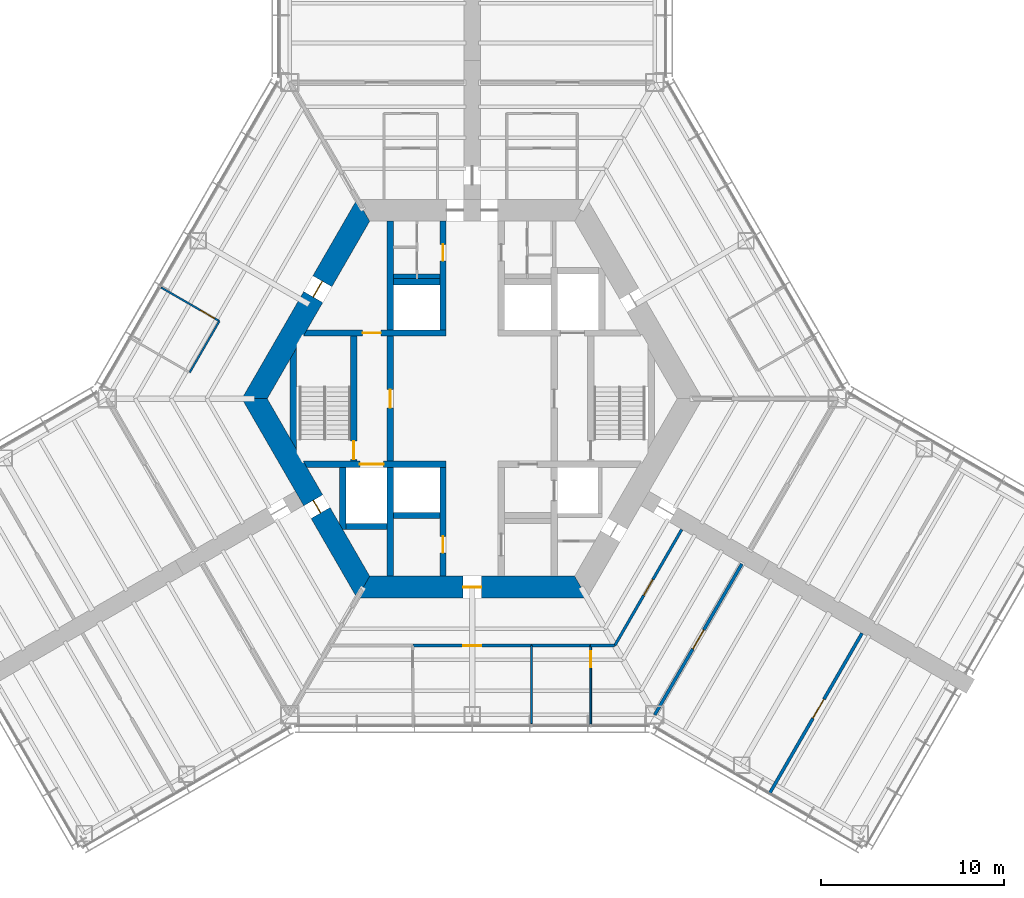
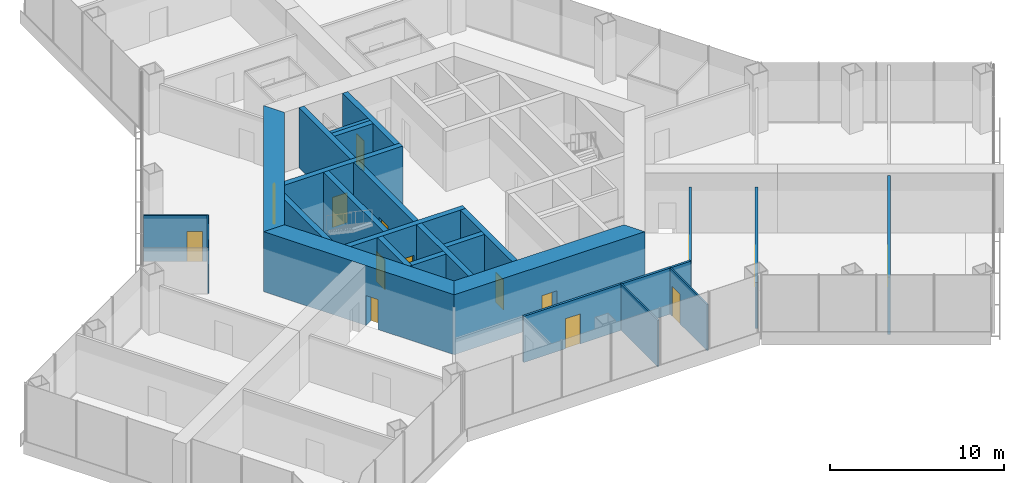
# One storey, part 11 of 16: 27 walls, 15 doors, 15 openings.
"""IFC4 building model written with IfcOpenShell, lengths in metres."""

from ifc_helpers import new_model, si_unit, direction, frame, frame_2d, origin, place, context, subcontext, project, spatial, polyline, rectangle, outline, extrude, material, layer, layer_set, type_object, element, fill, save


model = new_model("IFC4")

# Units and contexts
model_context = context("Model", 3, precision=1e-05, world=origin(), true_north=direction((0.0, 1.0)))
body_context = subcontext(model_context, "Body", "Model", "MODEL_VIEW")
ifc_project = project(units=[si_unit("LENGTHUNIT", "METRE"), si_unit("AREAUNIT", "SQUARE_METRE"), si_unit("VOLUMEUNIT", "CUBIC_METRE"), si_unit("PLANEANGLEUNIT", "RADIAN"), si_unit("MASSUNIT", "GRAM", prefix="KILO")], contexts=[model_context])

# Site, building, storey
site_placement = place(None, origin())
site = spatial("IfcSite", under=ifc_project, at=site_placement, CompositionType="ELEMENT")
building_placement = place(site_placement, origin())
building = spatial("IfcBuilding", under=site, at=building_placement, Name="Kasaneha Research Tower", CompositionType="ELEMENT")
storey_placement = place(building_placement, frame((0.0, 0.0, 26.800048828125)))
storey = spatial("IfcBuildingStorey", under=building, at=storey_placement, Name="L07", CompositionType="ELEMENT", Elevation=26.800048828125)

# Wall, opening, door
ifc_material_1 = material(Name="Concrete Fc100", Category="concrete")
ifc_layer_1 = layer(ifc_material_1, 0.35009765625)
ifc_layer_set_1 = layer_set([ifc_layer_1], Name="Core internal wall 350 Fc100")
wall_type_1 = type_object("IfcWallType", Name="Core internal wall 350 Fc100", PredefinedType="SHEAR", material=ifc_layer_set_1)
wall_1_placement = place(storey_placement, frame((-9.151123046875, 3.60009765625, 0.0), z_axis=(0.0, 0.0, 1.0), x_axis=(1.0, 0.0, 0.0)))
wall_1 = element("IfcWall", 1, at=wall_1_placement, inside=storey, type_object=wall_type_1, Name="Core wall W1W L07", PredefinedType="SHEAR", context=body_context, shape_type="SweptSolid", body=[
    extrude(outline(polyline([(-0.10107421875, -0.175048828125), (3.151123046875, -0.175048828125), (4.151123046875, -0.175048828125), (7.72607421875, -0.175048828125), (7.72607421875, 0.175048828125), (4.151123046875, 0.175048828125), (3.151123046875, 0.175048828125), (0.10107421875, 0.175048828125), (-0.10107421875, -0.175048828125)])), origin(), (0.0, 0.0, 1.0), 4.199951171875),
])
opening_1_placement = place(wall_1_placement, frame((3.151123046875, 0.0, 0.0)))
opening_1 = element("IfcOpeningElement", 2, at=opening_1_placement, cuts=wall_1, Name="Opening L07-D12", PredefinedType="OPENING", context=body_context, shape_type="SweptSolid", body=[
    extrude(rectangle(XDim=1.0, YDim=2.10009765625, at=frame_2d((0.5, 1.050048828125))), frame((0.0, 0.18505859375, 0.0), z_axis=(0.0, -1.0, 0.0), x_axis=(1.0, 0.0, 0.0)), (0.0, 0.0, 1.0), 0.3701171875),
])
ifc_material_2 = material(Name="Steel", Category="steel")
door_type_1 = type_object("IfcDoorType", Name="Specified fire door FD60 1000x2100", OperationType="NOTDEFINED", PredefinedType="DOOR", material=ifc_material_2)
door_1_placement = place(opening_1_placement, origin())
door_1 = element("IfcDoor", 3, at=door_1_placement, inside=storey, type_object=door_type_1, Name="Vestibule to lobby door L07-D12", OperationType="SINGLE_SWING_LEFT", OverallHeight=2.10009765625, OverallWidth=1.0, PredefinedType="DOOR", context=body_context, shape_type="SweptSolid", body=[
    extrude(rectangle(XDim=1.0, YDim=2.10009765625, at=frame_2d((0.5, 1.050048828125))), frame((0.0, 0.02490234375, 0.0), z_axis=(0.0, -1.0, 0.0), x_axis=(1.0, 0.0, 0.0)), (0.0, 0.0, 1.0), 0.050048828125),
])
fill(opening_1, door_1)

wall_2_placement = place(storey_placement, frame((-9.151123046875, -3.60009765625, 0.0), z_axis=(0.0, 0.0, 1.0), x_axis=(1.0, 0.0, 0.0)))
wall_2 = element("IfcWall", 4, at=wall_2_placement, inside=storey, type_object=wall_type_1, Name="Core wall W2W L07", PredefinedType="SHEAR", context=body_context, shape_type="SweptSolid", body=[
    extrude(outline(polyline([(0.10107421875, -0.175048828125), (3.0009765625, -0.175048828125), (4.301025390625, -0.175048828125), (7.72607421875, -0.175048828125), (7.72607421875, 0.175048828125), (4.301025390625, 0.175048828125), (3.0009765625, 0.175048828125), (-0.10107421875, 0.175048828125), (0.10107421875, -0.175048828125)])), origin(), (0.0, 0.0, 1.0), 4.199951171875),
])
opening_2_placement = place(wall_2_placement, frame((3.0009765625, 0.0, 0.0)))
opening_2 = element("IfcOpeningElement", 5, at=opening_2_placement, cuts=wall_2, Name="Opening LD-FL2-L07", PredefinedType="OPENING", context=body_context, shape_type="SweptSolid", body=[
    extrude(rectangle(XDim=1.300048828125, YDim=2.10009765625, at=frame_2d((0.64990234375, 1.050048828125))), frame((0.0, 0.18505859375, 0.0), z_axis=(0.0, -1.0, 0.0), x_axis=(1.0, 0.0, 0.0)), (0.0, 0.0, 1.0), 0.3701171875),
])
ifc_material_3 = material(Name="Steel", Category="steel")
door_type_2 = type_object("IfcDoorType", Name="Lift landing door 1300x2100", OperationType="DOUBLE_DOOR_SLIDING", PredefinedType="DOOR", material=ifc_material_3)
door_2_placement = place(opening_2_placement, origin())
door_2 = element("IfcDoor", 6, at=door_2_placement, inside=storey, type_object=door_type_2, Name="Landing door FL2 LD-FL2-L07", OperationType="DOUBLE_DOOR_SLIDING", OverallHeight=2.10009765625, OverallWidth=1.300048828125, PredefinedType="DOOR", context=body_context, shape_type="SweptSolid", body=[
    extrude(rectangle(XDim=1.300048828125, YDim=2.10009765625, at=frame_2d((0.64990234375, 1.050048828125))), frame((0.0, 0.02490234375, 0.0), z_axis=(0.0, -1.0, 0.0), x_axis=(1.0, 0.0, 0.0)), (0.0, 0.0, 1.0), 0.050048828125),
])
fill(opening_2, door_2)

wall_3_placement = place(storey_placement, frame((-1.60009765625, 3.77490234375, 0.0), z_axis=(0.0, 0.0, 1.0), x_axis=(0.0, 1.0, 0.0)))
wall_3 = element("IfcWall", 7, at=wall_3_placement, inside=storey, type_object=wall_type_1, Name="Core wall CNW L07", PredefinedType="SHEAR", context=body_context, shape_type="SweptSolid", body=[
    extrude(rectangle(XDim=5.9501953125, YDim=0.35009765625, at=frame_2d((2.97509765625, 0.0))), origin(), (0.0, 0.0, 1.0), 4.199951171875),
])
opening_3_placement = place(wall_3_placement, frame((3.77490234375, 0.0, 0.0)))
opening_3 = element("IfcOpeningElement", 8, at=opening_3_placement, cuts=wall_3, Name="Opening L07-D13", PredefinedType="OPENING", context=body_context, shape_type="SweptSolid", body=[
    extrude(rectangle(XDim=0.89990234375, YDim=2.10009765625, at=frame_2d((0.449951171875, 1.050048828125))), frame((0.0, 0.18505859375, 0.0), z_axis=(0.0, -1.0, 0.0), x_axis=(1.0, 0.0, 0.0)), (0.0, 0.0, 1.0), 0.3701171875),
])
ifc_material_4 = material(Name="Steel", Category="steel")
door_type_3 = type_object("IfcDoorType", Name="Toilet door FD20 900x2100", OperationType="NOTDEFINED", PredefinedType="DOOR", material=ifc_material_4)
door_3_placement = place(opening_3_placement, origin())
door_3 = element("IfcDoor", 9, at=door_3_placement, inside=storey, type_object=door_type_3, Name="Men's WC door L07-D13", OperationType="SINGLE_SWING_LEFT", OverallHeight=2.10009765625, OverallWidth=0.89990234375, PredefinedType="DOOR", context=body_context, shape_type="SweptSolid", body=[
    extrude(rectangle(XDim=0.89990234375, YDim=2.10009765625, at=frame_2d((0.449951171875, 1.050048828125))), frame((0.0, 0.02490234375, 0.0), z_axis=(0.0, -1.0, 0.0), x_axis=(1.0, 0.0, 0.0)), (0.0, 0.0, 1.0), 0.050048828125),
])
fill(opening_3, door_3)

wall_4_placement = place(storey_placement, frame((-1.60009765625, -3.77490234375, 0.0), z_axis=(0.0, 0.0, 1.0), x_axis=(0.0, -1.0, 0.0)))
wall_4 = element("IfcWall", 10, at=wall_4_placement, inside=storey, type_object=wall_type_1, Name="Core wall CSW L07", PredefinedType="SHEAR", context=body_context, shape_type="SweptSolid", body=[
    extrude(rectangle(XDim=5.9501953125, YDim=0.35009765625, at=frame_2d((2.97509765625, 0.0))), origin(), (0.0, 0.0, 1.0), 4.199951171875),
])
opening_4_placement = place(wall_4_placement, frame((3.77490234375, 0.0, 0.0)))
opening_4 = element("IfcOpeningElement", 11, at=opening_4_placement, cuts=wall_4, Name="Opening L07-D16", PredefinedType="OPENING", context=body_context, shape_type="SweptSolid", body=[
    extrude(rectangle(XDim=0.89990234375, YDim=2.10009765625, at=frame_2d((0.449951171875, 1.050048828125))), frame((0.0, 0.18505859375, 0.0), z_axis=(0.0, -1.0, 0.0), x_axis=(1.0, 0.0, 0.0)), (0.0, 0.0, 1.0), 0.3701171875),
])
ifc_material_5 = material(Name="Steel", Category="steel")
door_type_4 = type_object("IfcDoorType", Name="Riser access door FD60 900x2100", OperationType="NOTDEFINED", PredefinedType="DOOR", material=ifc_material_5)
door_4_placement = place(opening_4_placement, origin())
door_4 = element("IfcDoor", 12, at=door_4_placement, inside=storey, type_object=door_type_4, Name="Electrical riser door L07-D16", OperationType="SINGLE_SWING_LEFT", OverallHeight=2.10009765625, OverallWidth=0.89990234375, PredefinedType="DOOR", context=body_context, shape_type="SweptSolid", body=[
    extrude(rectangle(XDim=0.89990234375, YDim=2.10009765625, at=frame_2d((0.449951171875, 1.050048828125))), frame((0.0, 0.02490234375, 0.0), z_axis=(0.0, -1.0, 0.0), x_axis=(1.0, 0.0, 0.0)), (0.0, 0.0, 1.0), 0.050048828125),
])
fill(opening_4, door_4)

wall_5_placement = place(storey_placement, frame((-4.5, -3.425048828125, 0.0), z_axis=(0.0, 0.0, 1.0), x_axis=(0.0, 1.0, 0.0)))
wall_5 = element("IfcWall", 13, at=wall_5_placement, inside=storey, type_object=wall_type_1, Name="Core wall LBW L07", PredefinedType="SHEAR", context=body_context, shape_type="SweptSolid", body=[
    extrude(rectangle(XDim=6.85009765625, YDim=0.35009765625, at=frame_2d((3.425048828125, 0.0))), origin(), (0.0, 0.0, 1.0), 4.199951171875),
])
opening_5_placement = place(wall_5_placement, frame((2.925048828125, 0.0, 0.0)))
opening_5 = element("IfcOpeningElement", 14, at=opening_5_placement, cuts=wall_5, Name="Opening L07-D09", PredefinedType="OPENING", context=body_context, shape_type="SweptSolid", body=[
    extrude(rectangle(XDim=1.0, YDim=2.10009765625, at=frame_2d((0.5, 1.050048828125))), frame((0.0, 0.18505859375, 0.0), z_axis=(0.0, -1.0, 0.0), x_axis=(1.0, 0.0, 0.0)), (0.0, 0.0, 1.0), 0.3701171875),
])
door_5_placement = place(opening_5_placement, origin())
door_5 = element("IfcDoor", 15, at=door_5_placement, inside=storey, type_object=door_type_1, Name="Lift lobby door west L07-D09", OperationType="SINGLE_SWING_LEFT", OverallHeight=2.10009765625, OverallWidth=1.0, PredefinedType="DOOR", context=body_context, shape_type="SweptSolid", body=[
    extrude(rectangle(XDim=1.0, YDim=2.10009765625, at=frame_2d((0.5, 1.050048828125))), frame((0.0, 0.02490234375, 0.0), z_axis=(0.0, -1.0, 0.0), x_axis=(1.0, 0.0, 0.0)), (0.0, 0.0, 1.0), 0.050048828125),
])
fill(opening_5, door_5)

wall_6_placement = place(storey_placement, frame((-6.5, -3.425048828125, 0.0), z_axis=(0.0, 0.0, 1.0), x_axis=(0.0, 1.0, 0.0)))
wall_6 = element("IfcWall", 16, at=wall_6_placement, inside=storey, type_object=wall_type_1, Name="Core wall ANW L07", PredefinedType="SHEAR", context=body_context, shape_type="SweptSolid", body=[
    extrude(rectangle(XDim=6.85009765625, YDim=0.35009765625, at=frame_2d((3.425048828125, 0.0))), origin(), (0.0, 0.0, 1.0), 4.199951171875),
])
opening_6_placement = place(wall_6_placement, frame((0.10009765625, 0.0, 0.0)))
opening_6 = element("IfcOpeningElement", 17, at=opening_6_placement, cuts=wall_6, Name="Opening L07-D11", PredefinedType="OPENING", context=body_context, shape_type="SweptSolid", body=[
    extrude(rectangle(XDim=1.0, YDim=2.10009765625, at=frame_2d((0.5, 1.050048828125))), frame((0.0, 0.18505859375, 0.0), z_axis=(0.0, -1.0, 0.0), x_axis=(1.0, 0.0, 0.0)), (0.0, 0.0, 1.0), 0.3701171875),
])
door_6_placement = place(opening_6_placement, origin())
door_6 = element("IfcDoor", 18, at=door_6_placement, inside=storey, type_object=door_type_1, Name="Stair 2 door L07-D11", OperationType="SINGLE_SWING_LEFT", OverallHeight=2.10009765625, OverallWidth=1.0, PredefinedType="DOOR", context=body_context, shape_type="SweptSolid", body=[
    extrude(rectangle(XDim=1.0, YDim=2.10009765625, at=frame_2d((0.5, 1.050048828125))), frame((0.0, 0.02490234375, 0.0), z_axis=(0.0, -1.0, 0.0), x_axis=(1.0, 0.0, 0.0)), (0.0, 0.0, 1.0), 0.050048828125),
])
fill(opening_6, door_6)

# Walls
for number, where, z_axis, x_axis, name in (
    (19, (-4.5, 3.77490234375, 0.0), (0.0, 0.0, 1.0), (0.0, 1.0, 0.0), "Core wall VNW L07"),
    (20, (-4.5, -3.77490234375, 0.0), (0.0, 0.0, 1.0), (0.0, -1.0, 0.0), "Core wall SSW L07"),
):
    element("IfcWall", number, at=place(storey_placement, frame(where, z_axis=z_axis, x_axis=x_axis)), inside=storey, type_object=wall_type_1, Name=name, PredefinedType="SHEAR", context=body_context, shape_type="SweptSolid", body=[
        extrude(rectangle(XDim=5.9501953125, YDim=0.35009765625, at=frame_2d((2.97509765625, 0.0))), origin(), (0.0, 0.0, 1.0), 4.199951171875),
    ])
for number, where, z_axis, x_axis, name in (
    (21, (-4.324951171875, 6.39990234375, 0.0), (0.0, 0.0, 1.0), (1.0, 0.0, 0.0), "Core wall N1N L07"),
    (22, (-4.324951171875, -6.39990234375, 0.0), (0.0, 0.0, 1.0), (1.0, 0.0, 0.0), "Core wall S1S L07"),
):
    element("IfcWall", number, at=place(storey_placement, frame(where, z_axis=z_axis, x_axis=x_axis)), inside=storey, type_object=wall_type_1, Name=name, PredefinedType="SHEAR", context=body_context, shape_type="SweptSolid", body=[
        extrude(rectangle(XDim=2.550048828125, YDim=0.35009765625, at=frame_2d((1.27490234375, 0.0))), origin(), (0.0, 0.0, 1.0), 4.199951171875),
    ])
wall_7_placement = place(storey_placement, frame((-6.925048828125, -7.0, 0.0), z_axis=(0.0, 0.0, 1.0), x_axis=(1.0, 0.0, 0.0)))
element("IfcWall", 23, at=wall_7_placement, inside=storey, type_object=wall_type_1, Name="Core wall F2S L07", PredefinedType="SHEAR", context=body_context, shape_type="SweptSolid", body=[
    extrude(rectangle(XDim=2.25, YDim=0.35009765625, at=frame_2d((1.125, 0.0))), origin(), (0.0, 0.0, 1.0), 4.199951171875),
])
wall_8_placement = place(storey_placement, frame((-7.10009765625, -3.77490234375, 0.0), z_axis=(0.0, 0.0, 1.0), x_axis=(0.0, -1.0, 0.0)))
element("IfcWall", 24, at=wall_8_placement, inside=storey, type_object=wall_type_1, Name="Core wall F2W L07", PredefinedType="SHEAR", context=body_context, shape_type="SweptSolid", body=[
    extrude(outline(polyline([(0.0, -0.175048828125), (3.07421875, -0.175048828125), (3.37744140625, 0.0), (3.39990234375, 0.175048828125), (0.0, 0.175048828125), (0.0, -0.175048828125)])), origin(), (0.0, 0.0, 1.0), 4.199951171875),
])
wall_9_placement = place(storey_placement, frame((-9.807861328125, -2.462158203125, 0.0), z_axis=(0.0, 0.0, 1.0), x_axis=(0.0, 1.0, 0.0)))
element("IfcWall", 25, at=wall_9_placement, inside=storey, type_object=wall_type_1, Name="Core wall STW L07", PredefinedType="SHEAR", context=body_context, shape_type="SweptSolid", body=[
    extrude(outline(polyline([(-0.30322265625, -0.175048828125), (5.2275390625, -0.175048828125), (4.62109375, 0.175048828125), (0.30322265625, 0.175048828125), (-0.30322265625, -0.175048828125)])), origin(), (0.0, 0.0, 1.0), 4.199951171875),
])

# Wall, opening, door
ifc_material_6 = material(Name="Concrete Fc100", Category="concrete")
ifc_layer_2 = layer(ifc_material_6, 1.199951171875)
ifc_layer_set_2 = layer_set([ifc_layer_2], Name="Core wall 1200 Fc100")
wall_type_2 = type_object("IfcWallType", Name="Core wall 1200 Fc100", PredefinedType="SHEAR", material=ifc_layer_set_2)
wall_10_placement = place(storey_placement, frame((-5.961181640625, 10.324951171875, 0.0), z_axis=(0.0, 0.0, 1.0), x_axis=(-0.500004296715, -0.866022923061, 0.0)))
wall_10 = element("IfcWall", 26, at=wall_10_placement, inside=storey, type_object=wall_type_2, Name="Core wall 150 L07", PredefinedType="SHEAR", context=body_context, shape_type="SweptSolid", body=[
    extrude(outline(polyline([(-0.346435546875, -0.60009765625), (4.494140625, -0.60009765625), (5.494140625, -0.60009765625), (12.268798828125, -0.60009765625), (11.575927734375, 0.60009765625), (5.494140625, 0.60009765625), (4.494140625, 0.60009765625), (0.346435546875, 0.60009765625), (-0.346435546875, -0.60009765625)])), origin(), (0.0, 0.0, 1.0), 4.199951171875),
])
opening_7_placement = place(wall_10_placement, frame((4.494140625, 0.0, 0.0)))
opening_7 = element("IfcOpeningElement", 27, at=opening_7_placement, cuts=wall_10, Name="Opening L07-D07", PredefinedType="OPENING", context=body_context, shape_type="SweptSolid", body=[
    extrude(rectangle(XDim=1.0, YDim=2.10009765625, at=frame_2d((0.5, 1.050048828125))), frame((0.0, 0.60986328125, 0.0), z_axis=(0.0, -1.0, 0.0), x_axis=(1.0, 0.0, 0.0)), (0.0, 0.0, 1.0), 1.219970703125),
])
ifc_material_7 = material(Name="Steel", Category="steel")
door_type_5 = type_object("IfcDoorType", Name="Fire door FD20 1000x2100", OperationType="NOTDEFINED", PredefinedType="DOOR", material=ifc_material_7)
door_7_placement = place(opening_7_placement, origin())
door_7 = element("IfcDoor", 28, at=door_7_placement, inside=storey, type_object=door_type_5, Name="Vestibule door L07-D07", OperationType="SINGLE_SWING_LEFT", OverallHeight=2.10009765625, OverallWidth=1.0, PredefinedType="DOOR", context=body_context, shape_type="SweptSolid", body=[
    extrude(rectangle(XDim=1.0, YDim=2.10009765625, at=frame_2d((0.5, 1.050048828125))), frame((0.0, 0.02490234375, 0.0), z_axis=(0.0, -1.0, 0.0), x_axis=(1.0, 0.0, 0.0)), (0.0, 0.0, 1.0), 0.050048828125),
])
fill(opening_7, door_7)

wall_11_placement = place(storey_placement, frame((-11.92236328125, 0.0, 0.0), z_axis=(0.0, 0.0, 1.0), x_axis=(0.500004296715, -0.866022923061, 0.0)))
wall_11 = element("IfcWall", 29, at=wall_11_placement, inside=storey, type_object=wall_type_2, Name="Core wall 210 L07", PredefinedType="SHEAR", context=body_context, shape_type="SweptSolid", body=[
    extrude(outline(polyline([(-0.346435546875, -0.60009765625), (6.43115234375, -0.60009765625), (7.231201171875, -0.60009765625), (12.268798828125, -0.60009765625), (11.575927734375, 0.60009765625), (7.231201171875, 0.60009765625), (6.43115234375, 0.60009765625), (0.346435546875, 0.60009765625), (-0.346435546875, -0.60009765625)])), origin(), (0.0, 0.0, 1.0), 4.199951171875),
])
opening_8_placement = place(wall_11_placement, frame((6.43115234375, 0.0, 0.0)))
opening_8 = element("IfcOpeningElement", 30, at=opening_8_placement, cuts=wall_11, Name="Opening L07-D06", PredefinedType="OPENING", context=body_context, shape_type="SweptSolid", body=[
    extrude(rectangle(XDim=0.800048828125, YDim=2.10009765625, at=frame_2d((0.39990234375, 1.050048828125))), frame((0.0, 0.60986328125, 0.0), z_axis=(0.0, -1.0, 0.0), x_axis=(1.0, 0.0, 0.0)), (0.0, 0.0, 1.0), 1.219970703125),
])
ifc_material_8 = material(Name="Steel", Category="steel")
door_type_6 = type_object("IfcDoorType", Name="Riser access door FD60 800x2100", OperationType="NOTDEFINED", PredefinedType="DOOR", material=ifc_material_8)
door_8_placement = place(opening_8_placement, origin())
door_8 = element("IfcDoor", 31, at=door_8_placement, inside=storey, type_object=door_type_6, Name="Duct riser door L07-D06", OperationType="SINGLE_SWING_RIGHT", OverallHeight=2.10009765625, OverallWidth=0.800048828125, PredefinedType="DOOR", context=body_context, shape_type="SweptSolid", body=[
    extrude(rectangle(XDim=0.800048828125, YDim=2.10009765625, at=frame_2d((0.39990234375, 1.050048828125))), frame((0.0, 0.02490234375, 0.0), z_axis=(0.0, -1.0, 0.0), x_axis=(1.0, 0.0, 0.0)), (0.0, 0.0, 1.0), 0.050048828125),
])
fill(opening_8, door_8)

wall_12_placement = place(storey_placement, frame((-5.961181640625, -10.324951171875, 0.0), z_axis=(0.0, 0.0, 1.0), x_axis=(1.0, 0.0, 0.0)))
wall_12 = element("IfcWall", 32, at=wall_12_placement, inside=storey, type_object=wall_type_2, Name="Core wall 270 L07", PredefinedType="SHEAR", context=body_context, shape_type="SweptSolid", body=[
    extrude(outline(polyline([(-0.346435546875, -0.60009765625), (5.461181640625, -0.60009765625), (6.461181640625, -0.60009765625), (12.268798828125, -0.60009765625), (11.575927734375, 0.60009765625), (6.461181640625, 0.60009765625), (5.461181640625, 0.60009765625), (0.346435546875, 0.60009765625), (-0.346435546875, -0.60009765625)])), origin(), (0.0, 0.0, 1.0), 4.199951171875),
])
opening_9_placement = place(wall_12_placement, frame((5.461181640625, 0.0, 0.0)))
opening_9 = element("IfcOpeningElement", 33, at=opening_9_placement, cuts=wall_12, Name="Opening L07-D03", PredefinedType="OPENING", context=body_context, shape_type="SweptSolid", body=[
    extrude(rectangle(XDim=1.0, YDim=2.10009765625, at=frame_2d((0.5, 1.050048828125))), frame((0.0, 0.60986328125, 0.0), z_axis=(0.0, -1.0, 0.0), x_axis=(1.0, 0.0, 0.0)), (0.0, 0.0, 1.0), 1.219970703125),
])
door_9_placement = place(opening_9_placement, origin())
door_9 = element("IfcDoor", 34, at=door_9_placement, inside=storey, type_object=door_type_5, Name="Core door south L07-D03", OperationType="SINGLE_SWING_LEFT", OverallHeight=2.10009765625, OverallWidth=1.0, PredefinedType="DOOR", context=body_context, shape_type="SweptSolid", body=[
    extrude(rectangle(XDim=1.0, YDim=2.10009765625, at=frame_2d((0.5, 1.050048828125))), frame((0.0, 0.02490234375, 0.0), z_axis=(0.0, -1.0, 0.0), x_axis=(1.0, 0.0, 0.0)), (0.0, 0.0, 1.0), 0.050048828125),
])
fill(opening_9, door_9)

ifc_material_9 = material(Name="Gypsum board on steel studs, two layers each side", Category="steel")
ifc_layer_3 = layer(ifc_material_9, 0.175048828125)
ifc_layer_set_3 = layer_set([ifc_layer_3], Name="Laboratory fire partition 175")
wall_type_3 = type_object("IfcWallType", Name="Laboratory fire partition 175", PredefinedType="PARTITIONING", material=ifc_layer_set_3)
wall_13_placement = place(storey_placement, frame((14.77490234375, -9.050048828125, 0.0), z_axis=(0.0, 0.0, 1.0), x_axis=(-0.499993908199, -0.866028920859, 0.0)))
wall_13 = element("IfcWall", 35, at=wall_13_placement, inside=storey, type_object=wall_type_3, Name="Laboratory fire partition LABC-S L07", PredefinedType="PARTITIONING", context=body_context, shape_type="SweptSolid", body=[
    extrude(rectangle(XDim=9.5498046875, YDim=0.175048828125, at=frame_2d((4.77490234375, 0.0))), origin(), (0.0, 0.0, 1.0), 3.238037109375),
])
opening_10_placement = place(wall_13_placement, frame((4.175048828125, 0.0, 0.0)))
opening_10 = element("IfcOpeningElement", 36, at=opening_10_placement, cuts=wall_13, Name="Opening L07-D44", PredefinedType="OPENING", context=body_context, shape_type="SweptSolid", body=[
    extrude(rectangle(XDim=1.199951171875, YDim=2.10009765625, at=frame_2d((0.60009765625, 1.050048828125))), frame((0.0, 0.09765625, 0.0), z_axis=(0.0, -1.0, 0.0), x_axis=(1.0, 0.0, 0.0)), (0.0, 0.0, 1.0), 0.195068359375),
])
ifc_material_10 = material(Name="Steel", Category="steel")
door_type_7 = type_object("IfcDoorType", Name="Laboratory door FD60 1200x2100", OperationType="DOUBLE_DOOR_SINGLE_SWING", PredefinedType="DOOR", material=ifc_material_10)
door_10_placement = place(opening_10_placement, origin())
door_10 = element("IfcDoor", 37, at=door_10_placement, inside=storey, type_object=door_type_7, Name="Laboratory door L07-D44", OperationType="DOUBLE_DOOR_SINGLE_SWING", OverallHeight=2.10009765625, OverallWidth=1.199951171875, PredefinedType="DOOR", context=body_context, shape_type="SweptSolid", body=[
    extrude(rectangle(XDim=1.199951171875, YDim=2.10009765625, at=frame_2d((0.60009765625, 1.050048828125))), frame((0.0, 0.02490234375, 0.0), z_axis=(0.0, -1.0, 0.0), x_axis=(1.0, 0.0, 0.0)), (0.0, 0.0, 1.0), 0.050048828125),
])
fill(opening_10, door_10)

wall_14_placement = place(storey_placement, frame((21.356689453125, -12.849853515625, 0.0), z_axis=(0.0, 0.0, 1.0), x_axis=(-0.499987145745, -0.866032825065, 0.0)))
wall_14 = element("IfcWall", 38, at=wall_14_placement, inside=storey, type_object=wall_type_3, Name="Laboratory fire partition SUPC-S L07", PredefinedType="PARTITIONING", context=body_context, shape_type="SweptSolid", body=[
    extrude(rectangle(XDim=10.139892578125, YDim=0.175048828125, at=frame_2d((5.06982421875, 0.0))), origin(), (0.0, 0.0, 1.0), 4.030029296875),
])
opening_11_placement = place(wall_14_placement, frame((4.175048828125, 0.0, 0.0)))
opening_11 = element("IfcOpeningElement", 39, at=opening_11_placement, cuts=wall_14, Name="Opening L07-D49", PredefinedType="OPENING", context=body_context, shape_type="SweptSolid", body=[
    extrude(rectangle(XDim=1.199951171875, YDim=2.10009765625, at=frame_2d((0.60009765625, 1.050048828125))), frame((0.0, 0.09765625, 0.0), z_axis=(0.0, -1.0, 0.0), x_axis=(1.0, 0.0, 0.0)), (0.0, 0.0, 1.0), 0.195068359375),
])
door_11_placement = place(opening_11_placement, origin())
door_11 = element("IfcDoor", 40, at=door_11_placement, inside=storey, type_object=door_type_7, Name="Laboratory support room door L07-D49", OperationType="DOUBLE_DOOR_SINGLE_SWING", OverallHeight=2.10009765625, OverallWidth=1.199951171875, PredefinedType="DOOR", context=body_context, shape_type="SweptSolid", body=[
    extrude(rectangle(XDim=1.199951171875, YDim=2.10009765625, at=frame_2d((0.60009765625, 1.050048828125))), frame((0.0, 0.02490234375, 0.0), z_axis=(0.0, -1.0, 0.0), x_axis=(1.0, 0.0, 0.0)), (0.0, 0.0, 1.0), 0.050048828125),
])
fill(opening_11, door_11)

ifc_material_11 = material(Name="Gypsum board on steel studs, one layer each side", Category="steel")
ifc_layer_4 = layer(ifc_material_11, 0.10009765625)
ifc_layer_set_4 = layer_set([ifc_layer_4], Name="Office partition 100")
wall_type_4 = type_object("IfcWallType", Name="Office partition 100", PredefinedType="PARTITIONING", material=ifc_layer_set_4)
wall_15_placement = place(storey_placement, frame((-17.047607421875, 6.09375, 0.0), z_axis=(0.0, 0.0, 1.0), x_axis=(0.866040157966, -0.499974444137, 0.0)))
wall_15 = element("IfcWall", 41, at=wall_15_placement, inside=storey, type_object=wall_type_4, Name="Office partition FBN01 L07", PredefinedType="PARTITIONING", context=body_context, shape_type="SweptSolid", body=[
    extrude(rectangle(XDim=3.690185546875, YDim=0.10009765625, at=frame_2d((1.84521484375, 0.0))), origin(), (0.0, 0.0, 1.0), 3.22998046875),
])
opening_12_placement = place(wall_15_placement, frame((2.489990234375, 0.0, 0.0)))
opening_12 = element("IfcOpeningElement", 42, at=opening_12_placement, cuts=wall_15, Name="Opening L07-D38", PredefinedType="OPENING", context=body_context, shape_type="SweptSolid", body=[
    extrude(rectangle(XDim=0.89990234375, YDim=2.10009765625, at=frame_2d((0.449951171875, 1.050048828125))), frame((0.0, 0.06005859375, 0.0), z_axis=(0.0, -1.0, 0.0), x_axis=(1.0, 0.0, 0.0)), (0.0, 0.0, 1.0), 0.1201171875),
])
ifc_material_12 = material(Name="Timber veneer", Category="wood")
door_type_8 = type_object("IfcDoorType", Name="Office door 900x2100", OperationType="SINGLE_SWING_LEFT", PredefinedType="DOOR", material=ifc_material_12)
door_12_placement = place(opening_12_placement, origin())
door_12 = element("IfcDoor", 43, at=door_12_placement, inside=storey, type_object=door_type_8, Name="Tissue culture room door L07-D38", OperationType="SINGLE_SWING_RIGHT", OverallHeight=2.10009765625, OverallWidth=0.89990234375, PredefinedType="DOOR", context=body_context, shape_type="SweptSolid", body=[
    extrude(rectangle(XDim=0.89990234375, YDim=2.10009765625, at=frame_2d((0.449951171875, 1.050048828125))), frame((0.0, 0.02490234375, 0.0), z_axis=(0.0, -1.0, 0.0), x_axis=(1.0, 0.0, 0.0)), (0.0, 0.0, 1.0), 0.050048828125),
])
fill(opening_12, door_12)

# Wall
wall_16_placement = place(storey_placement, frame((-13.851806640625, 4.248779296875, 0.0), z_axis=(0.0, 0.0, 1.0), x_axis=(-0.500013214685, -0.866017774148, 0.0)))
element("IfcWall", 44, at=wall_16_placement, inside=storey, type_object=wall_type_4, Name="Office partition FBN03 L07", PredefinedType="PARTITIONING", context=body_context, shape_type="SweptSolid", body=[
    extrude(rectangle(XDim=3.24658203125, YDim=0.10009765625, at=frame_2d((1.623291015625, 0.0))), origin(), (0.0, 0.0, 1.0), 3.22998046875),
])

# Wall, opening, door
wall_17_placement = place(storey_placement, frame((6.48828125, -13.52490234375, 0.0), z_axis=(0.0, 0.0, 1.0), x_axis=(0.001076120809, -0.999999420982, 0.0)))
wall_17 = element("IfcWall", 45, at=wall_17_placement, inside=storey, type_object=wall_type_4, Name="Office partition FCS07 L07", PredefinedType="PARTITIONING", context=body_context, shape_type="SweptSolid", body=[
    extrude(rectangle(XDim=4.310546875, YDim=0.10009765625, at=frame_2d((2.1552734375, 0.0))), origin(), (0.0, 0.0, 1.0), 3.22998046875),
])
opening_13_placement = place(wall_17_placement, frame((0.300048828125, 0.0, 0.0)))
opening_13 = element("IfcOpeningElement", 46, at=opening_13_placement, cuts=wall_17, Name="Opening L07-D48", PredefinedType="OPENING", context=body_context, shape_type="SweptSolid", body=[
    extrude(rectangle(XDim=0.89990234375, YDim=2.10009765625, at=frame_2d((0.449951171875, 1.050048828125))), frame((0.0, 0.06005859375, 0.0), z_axis=(0.0, -1.0, 0.0), x_axis=(1.0, 0.0, 0.0)), (0.0, 0.0, 1.0), 0.1201171875),
])
door_13_placement = place(opening_13_placement, origin())
door_13 = element("IfcDoor", 47, at=door_13_placement, inside=storey, type_object=door_type_8, Name="Principal investigator office door L07-D48", OperationType="SINGLE_SWING_LEFT", OverallHeight=2.10009765625, OverallWidth=0.89990234375, PredefinedType="DOOR", context=body_context, shape_type="SweptSolid", body=[
    extrude(rectangle(XDim=0.89990234375, YDim=2.10009765625, at=frame_2d((0.449951171875, 1.050048828125))), frame((0.0, 0.02490234375, 0.0), z_axis=(0.0, -1.0, 0.0), x_axis=(1.0, 0.0, 0.0)), (0.0, 0.0, 1.0), 0.050048828125),
])
fill(opening_13, door_13)

# Walls
wall_18_placement = place(storey_placement, frame((3.246337890625, -17.800537109375, 0.0), z_axis=(0.0, 0.0, 1.0), x_axis=(0.001084907715, 0.999999411487, 0.0)))
element("IfcWall", 48, at=wall_18_placement, inside=storey, type_object=wall_type_4, Name="Office partition FCS08 L07", PredefinedType="PARTITIONING", context=body_context, shape_type="SweptSolid", body=[
    extrude(rectangle(XDim=4.275634765625, YDim=0.10009765625, at=frame_2d((2.1376953125, 0.0))), origin(), (0.0, 0.0, 1.0), 3.22998046875),
])
ifc_material_13 = material(Name="Gypsum board on steel studs, two layers each side", Category="steel")
ifc_layer_5 = layer(ifc_material_13, 0.14990234375)
ifc_layer_set_5 = layer_set([ifc_layer_5], Name="Suite partition 150")
wall_type_5 = type_object("IfcWallType", Name="Suite partition 150", PredefinedType="PARTITIONING", material=ifc_layer_set_5)
wall_19_placement = place(storey_placement, frame((6.497802734375, -13.52490234375, 0.0), z_axis=(0.0, 0.0, 1.0), x_axis=(-1.0, 0.0, 0.0)))
element("IfcWall", 49, at=wall_19_placement, inside=storey, type_object=wall_type_5, Name="Suite partition FCS02 L07", PredefinedType="PARTITIONING", context=body_context, shape_type="SweptSolid", body=[
    extrude(rectangle(XDim=3.25634765625, YDim=0.14990234375, at=frame_2d((1.628173828125, 0.0))), origin(), (0.0, 0.0, 1.0), 3.22998046875),
])
wall_20_placement = place(storey_placement, frame((7.80859375, -13.52490234375, 0.0), z_axis=(0.0, 0.0, 1.0), x_axis=(-1.0, 0.0, 0.0)))
element("IfcWall", 50, at=wall_20_placement, inside=storey, type_object=wall_type_5, Name="Suite partition FCS03 L07", PredefinedType="PARTITIONING", context=body_context, shape_type="SweptSolid", body=[
    extrude(rectangle(XDim=1.3203125, YDim=0.14990234375, at=frame_2d((0.66015625, 0.0))), origin(), (0.0, 0.0, 1.0), 3.22998046875),
])

# Wall, opening, door
wall_21_placement = place(storey_placement, frame((11.47802734375, -7.16943359375, 0.0), z_axis=(0.0, 0.0, 1.0), x_axis=(-0.500010424145, -0.866019385318, 0.0)))
wall_21 = element("IfcWall", 51, at=wall_21_placement, inside=storey, type_object=wall_type_5, Name="Suite partition FCS04 L07", PredefinedType="PARTITIONING", context=body_context, shape_type="SweptSolid", body=[
    extrude(rectangle(XDim=7.338623046875, YDim=0.14990234375, at=frame_2d((3.66943359375, 0.0))), origin(), (0.0, 0.0, 1.0), 3.22998046875),
])
opening_14_placement = place(wall_21_placement, frame((3.16943359375, 0.0, 0.0)))
opening_14 = element("IfcOpeningElement", 52, at=opening_14_placement, cuts=wall_21, Name="Opening L07-D45", PredefinedType="OPENING", context=body_context, shape_type="SweptSolid", body=[
    extrude(rectangle(XDim=1.0, YDim=2.10009765625, at=frame_2d((0.5, 1.050048828125))), frame((0.0, 0.0849609375, 0.0), z_axis=(0.0, -1.0, 0.0), x_axis=(1.0, 0.0, 0.0)), (0.0, 0.0, 1.0), 0.169921875),
])
ifc_material_14 = material(Name="Steel", Category="steel")
door_type_9 = type_object("IfcDoorType", Name="Suite entrance door FD60 1000x2100", OperationType="NOTDEFINED", PredefinedType="DOOR", material=ifc_material_14)
door_14_placement = place(opening_14_placement, origin())
door_14 = element("IfcDoor", 53, at=door_14_placement, inside=storey, type_object=door_type_9, Name="Suite entrance door L07-D45", OperationType="SINGLE_SWING_RIGHT", OverallHeight=2.10009765625, OverallWidth=1.0, PredefinedType="DOOR", context=body_context, shape_type="SweptSolid", body=[
    extrude(rectangle(XDim=1.0, YDim=2.10009765625, at=frame_2d((0.5, 1.050048828125))), frame((0.0, 0.02490234375, 0.0), z_axis=(0.0, -1.0, 0.0), x_axis=(1.0, 0.0, 0.0)), (0.0, 0.0, 1.0), 0.050048828125),
])
fill(opening_14, door_14)

wall_22_placement = place(storey_placement, frame((3.2509765625, -13.52490234375, 0.0), z_axis=(0.0, 0.0, 1.0), x_axis=(-1.0, 0.0, 0.0)))
wall_22 = element("IfcWall", 54, at=wall_22_placement, inside=storey, type_object=wall_type_5, Name="Suite partition FCS05 L07", PredefinedType="PARTITIONING", context=body_context, shape_type="SweptSolid", body=[
    extrude(rectangle(XDim=6.501953125, YDim=0.14990234375, at=frame_2d((3.2509765625, 0.0))), origin(), (0.0, 0.0, 1.0), 3.22998046875),
])
opening_15_placement = place(wall_22_placement, frame((2.7509765625, 0.0, 0.0)))
opening_15 = element("IfcOpeningElement", 55, at=opening_15_placement, cuts=wall_22, Name="Opening L07-D46", PredefinedType="OPENING", context=body_context, shape_type="SweptSolid", body=[
    extrude(rectangle(XDim=1.0, YDim=2.10009765625, at=frame_2d((0.5, 1.050048828125))), frame((0.0, 0.0849609375, 0.0), z_axis=(0.0, -1.0, 0.0), x_axis=(1.0, 0.0, 0.0)), (0.0, 0.0, 1.0), 0.169921875),
])
door_15_placement = place(opening_15_placement, origin())
door_15 = element("IfcDoor", 56, at=door_15_placement, inside=storey, type_object=door_type_9, Name="Suite entrance door L07-D46", OperationType="SINGLE_SWING_LEFT", OverallHeight=2.10009765625, OverallWidth=1.0, PredefinedType="DOOR", context=body_context, shape_type="SweptSolid", body=[
    extrude(rectangle(XDim=1.0, YDim=2.10009765625, at=frame_2d((0.5, 1.050048828125))), frame((0.0, 0.02490234375, 0.0), z_axis=(0.0, -1.0, 0.0), x_axis=(1.0, 0.0, 0.0)), (0.0, 0.0, 1.0), 0.050048828125),
])
fill(opening_15, door_15)

# Wall
ifc_material_15 = material(Name="Concrete block lining", Category="concrete")
ifc_layer_6 = layer(ifc_material_15, 0.25)
ifc_layer_set_6 = layer_set([ifc_layer_6], Name="WC plumbing wall 250")
wall_type_6 = type_object("IfcWallType", Name="WC plumbing wall 250", PredefinedType="PLUMBINGWALL", material=ifc_layer_set_6)
wall_23_placement = place(storey_placement, frame((-4.324951171875, 6.699951171875, 0.0), z_axis=(0.0, 0.0, 1.0), x_axis=(1.0, 0.0, 0.0)))
element("IfcWall", 57, at=wall_23_placement, inside=storey, type_object=wall_type_6, Name="WC plumbing wall M L07", PredefinedType="PLUMBINGWALL", context=body_context, shape_type="SweptSolid", body=[
    extrude(rectangle(XDim=2.550048828125, YDim=0.25, at=frame_2d((1.27490234375, 0.0))), origin(), (0.0, 0.0, 1.0), 4.199951171875),
])

save(model, "model.ifc")
